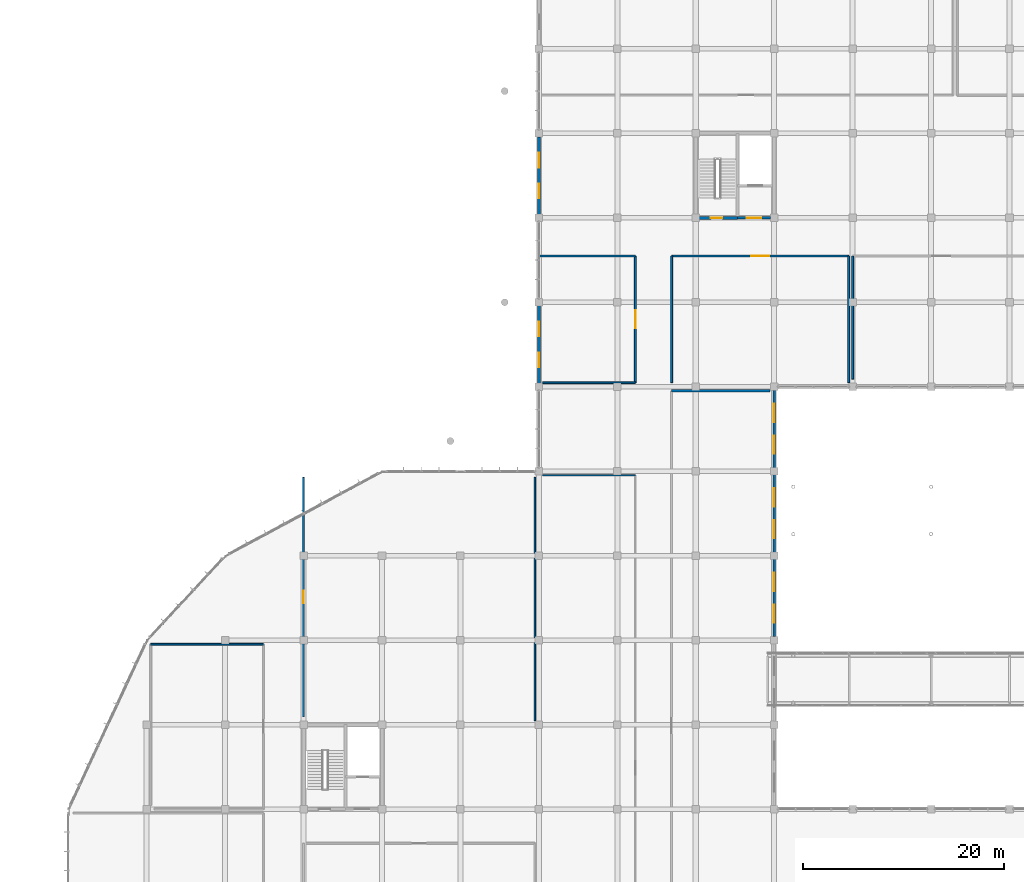
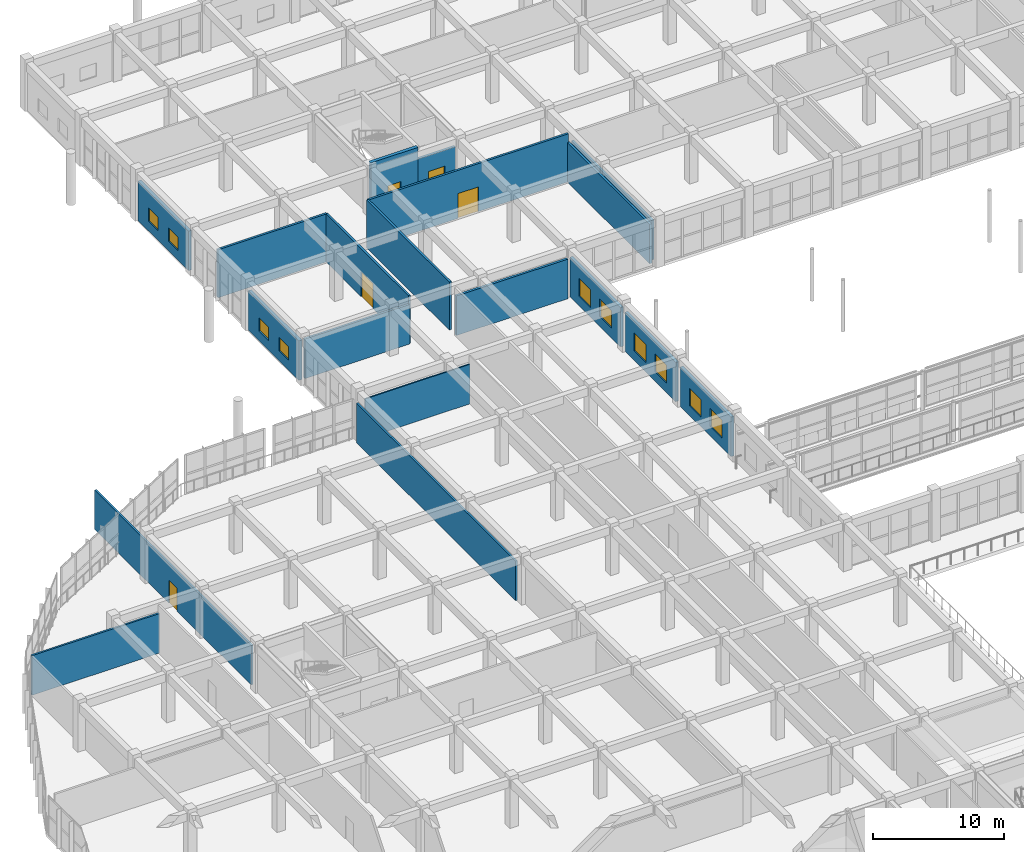
# One storey, part 162 of 175: 19 walls, 10 windows, 5 doors, 15 openings.
"""IFC4 building model written with IfcOpenShell, lengths in metres."""

import ifcopenshell
import ifcopenshell.guid

model = None  # the IFC model being written
_history = None  # IfcOwnerHistory: only IFC2X3 demands one
_inside = {}  # id of a spatial element -> (the spatial element, [elements in it])
_under = {}  # id of a project, library or spatial element -> (it, [spatial elements below it])
_declared = {}  # id of a project -> (the project, [libraries it declares])
_typed = {}  # id of a type object -> (the type object, [elements of that type])
_made_of = {}  # id of a material, layer set ... -> (it, [elements and type objects made of it])


def new_model(schema):
    """Start an empty IFC model of exactly this schema.

    Asked for "IFC4X3", IfcOpenShell would pick the latest addendum, in which some entities
    have other attributes; the version numbers below select the first issue.
    IFC2X3 requires an IfcOwnerHistory on every rooted entity: one is made here for all.
    """
    global model, _history
    if schema == "IFC4X3":
        model = ifcopenshell.file(schema_version=(4, 3, 0, 0))
    else:
        model = ifcopenshell.file(schema=schema)
    _inside.clear()
    _under.clear()
    _declared.clear()
    _typed.clear()
    _made_of.clear()
    _history = None
    if model.schema == "IFC2X3":
        org = make("IfcOrganization", Name="unknown")
        user = make(
            "IfcPersonAndOrganization",
            ThePerson=make("IfcPerson", FamilyName="unknown"),
            TheOrganization=org,
        )
        app = make(
            "IfcApplication",
            ApplicationDeveloper=org,
            Version="unknown",
            ApplicationFullName="unknown",
            ApplicationIdentifier="unknown",
        )
        _history = make(
            "IfcOwnerHistory",
            OwningUser=user,
            OwningApplication=app,
            ChangeAction="ADDED",
            CreationDate=0,
        )
    return model


def make(cls, **values):
    """One entity of the class cls with the attributes given. An attribute that is None is left unset."""
    return model.create_entity(
        cls, **{name: value for name, value in values.items() if value is not None}
    )


def rooted(cls, **values):
    """An entity with a GlobalId (a new one), such as an element, a storey or a relation."""
    return make(cls, GlobalId=ifcopenshell.guid.new(), OwnerHistory=_history, **values)


def si_unit(unit_type, name, prefix=None):
    """IfcSIUnit, for example si_unit("LENGTHUNIT", "METRE", prefix="MILLI")."""
    return make("IfcSIUnit", UnitType=unit_type, Prefix=prefix, Name=name)


def assignment(units):
    """IfcUnitAssignment: the units of a project."""
    return None if units is None else make("IfcUnitAssignment", Units=units)


def point(xyz):
    """IfcCartesianPoint."""
    return None if xyz is None else make("IfcCartesianPoint", Coordinates=xyz)


def direction(xyz):
    """IfcDirection."""
    return None if xyz is None else make("IfcDirection", DirectionRatios=xyz)


def frame(location, z_axis=None, x_axis=None):
    """IfcAxis2Placement3D, a coordinate frame: its origin and axes. An axis left out is left unset."""
    return make(
        "IfcAxis2Placement3D",
        Location=point(location),
        Axis=direction(z_axis),
        RefDirection=direction(x_axis),
    )


def frame_2d(location, x_axis=None):
    """IfcAxis2Placement2D, a coordinate frame in the plane: its origin and x axis."""
    return make(
        "IfcAxis2Placement2D", Location=point(location), RefDirection=direction(x_axis)
    )


def origin():
    """The frame at (0, 0, 0) with its axes left unset."""
    return frame((0.0, 0.0, 0.0))


def place(relative_to, where):
    """IfcLocalPlacement: puts the frame where relative to a parent placement (None: the world)."""
    return make(
        "IfcLocalPlacement", PlacementRelTo=relative_to, RelativePlacement=where
    )


def context(
    kind, dimensions, precision=None, world=None, true_north=None, identifier=None
):
    """IfcGeometricRepresentationContext, for example the 3D "Model" context."""
    return make(
        "IfcGeometricRepresentationContext",
        ContextIdentifier=identifier,
        ContextType=kind,
        CoordinateSpaceDimension=dimensions,
        Precision=precision,
        WorldCoordinateSystem=world,
        TrueNorth=true_north,
    )


def subcontext(parent, identifier, kind, view, scale=None):
    """IfcGeometricRepresentationSubContext, for example "Body" below "Model"."""
    return make(
        "IfcGeometricRepresentationSubContext",
        ContextIdentifier=identifier,
        ContextType=kind,
        ParentContext=parent,
        TargetScale=scale,
        TargetView=view,
    )


def project(units=None, contexts=None):
    """IfcProject with its units and contexts."""
    return rooted(
        "IfcProject",
        Name="project",
        RepresentationContexts=contexts,
        UnitsInContext=assignment(units),
    )


def spatial(cls, under=None, at=None, **own):
    """A site, building, storey or space (cls), placed at a placement, below another one or the project."""
    s = rooted(cls, ObjectPlacement=at, **own)
    if under is not None:
        _under.setdefault(under.id(), (under, []))[1].append(s)
    return s


def profile(cls, at=None, kind="AREA", **sizes):
    """A parametric profile (cls). Its sizes go by their IFC names, for example OverallWidth=200.0."""
    return make(cls, ProfileType=kind, Position=at, **sizes)


def rectangle(**sizes):
    """IfcRectangleProfileDef."""
    return profile("IfcRectangleProfileDef", **sizes)


def extrude(swept, where, along, depth):
    """IfcExtrudedAreaSolid: the profile swept, set in the frame where, extruded along a direction by depth."""
    return make(
        "IfcExtrudedAreaSolid",
        SweptArea=swept,
        Position=where,
        ExtrudedDirection=direction(along),
        Depth=depth,
    )


def shape(context_of_items, identifier, shape_type, items):
    """IfcShapeRepresentation: the items that make up one representation, for example the "Body"."""
    return make(
        "IfcShapeRepresentation",
        ContextOfItems=context_of_items,
        RepresentationIdentifier=identifier,
        RepresentationType=shape_type,
        Items=items,
    )


def material(Name=None, Category=None):
    """IfcMaterial."""
    return make("IfcMaterial", Name=Name, Category=Category)


def layer(
    of_material, thickness, ventilated=None, Name=None, Category=None, Priority=None
):
    """IfcMaterialLayer: one layer of a wall or slab, of a material (None: an air gap)."""
    return make(
        "IfcMaterialLayer",
        Material=of_material,
        LayerThickness=thickness,
        IsVentilated=ventilated,
        Name=Name,
        Category=Category,
        Priority=Priority,
    )


def layer_set(layers, Name=None):
    """IfcMaterialLayerSet."""
    return make("IfcMaterialLayerSet", MaterialLayers=layers, LayerSetName=Name)


def made_of(thing, what):
    """Note that an element or type object is made of a material, layer set ...; save() writes the relation."""
    if what is not None:
        _made_of.setdefault(what.id(), (what, []))[1].append(thing)
    return thing


def type_object(cls, material=None, **own):
    """A type object (cls), such as IfcWallType, which elements share."""
    return made_of(rooted(cls, **own), material)


def element(
    cls,
    number,
    at=None,
    inside=None,
    cuts=None,
    type_object=None,
    material=None,
    context=None,
    identifier="Body",
    shape_type=None,
    held_by="IfcProductDefinitionShape",
    body=None,
    shapes=None,
    **own,
):
    """One element of the class cls, such as IfcWall. Its Tag is "e" and its number.

    at: its placement. inside: the storey or other place that contains it. cuts: it is an
    opening in that element (IfcRelVoidsElement). A single representation is given by context,
    identifier, shape_type and body (its items); several are given by shapes. held_by: the class
    of the entity that holds the representations. save() writes the other relations.
    """
    e = rooted(cls, Tag="e%d" % number, ObjectPlacement=at, **own)
    if body is not None:
        shapes = [shape(context, identifier, shape_type, body)]
    if shapes is not None:
        e.Representation = make(held_by, Representations=shapes)
    if inside is not None:
        _inside.setdefault(inside.id(), (inside, []))[1].append(e)
    if cuts is not None:
        rooted(
            "IfcRelVoidsElement", RelatingBuildingElement=cuts, RelatedOpeningElement=e
        )
    if type_object is not None:
        _typed.setdefault(type_object.id(), (type_object, []))[1].append(e)
    return made_of(e, material)


def fill(opening, filler):
    """IfcRelFillsElement: the door or window that sits in an opening."""
    return rooted(
        "IfcRelFillsElement",
        RelatingOpeningElement=opening,
        RelatedBuildingElement=filler,
    )


def aggregate(whole, parts):
    """IfcRelAggregates: a whole, such as a stair, and the parts it consists of."""
    return rooted("IfcRelAggregates", RelatingObject=whole, RelatedObjects=parts)


def save(model, path):
    """Write the relations noted so far, then the file.

    IfcRelAggregates (storeys below a building ...), IfcRelContainedInSpatialStructure (elements
    in a storey), IfcRelDefinesByType, IfcRelAssociatesMaterial and IfcRelDeclares: one each for
    every whole, place, type object, material and project.
    """
    for whole, parts in _under.values():
        aggregate(whole, parts)
    for where, things in _inside.values():
        rooted(
            "IfcRelContainedInSpatialStructure",
            RelatedElements=things,
            RelatingStructure=where,
        )
    for kind, things in _typed.values():
        rooted("IfcRelDefinesByType", RelatedObjects=things, RelatingType=kind)
    for what, things in _made_of.values():
        rooted("IfcRelAssociatesMaterial", RelatedObjects=things, RelatingMaterial=what)
    for by, libraries in _declared.values():
        rooted("IfcRelDeclares", RelatingContext=by, RelatedDefinitions=libraries)
    model.write(path)


model = new_model("IFC4")

# Units and contexts
model_context = context("Model", 3, precision=1e-05, world=origin(), true_north=direction((0.0, 1.0)))
body_context = subcontext(model_context, "Body", "Model", "MODEL_VIEW")
ifc_project = project(units=[si_unit("LENGTHUNIT", "METRE"), si_unit("AREAUNIT", "SQUARE_METRE"), si_unit("VOLUMEUNIT", "CUBIC_METRE"), si_unit("PLANEANGLEUNIT", "RADIAN"), si_unit("MASSUNIT", "GRAM", prefix="KILO")], contexts=[model_context])

# Site, building, storey
site_placement = place(None, origin())
site = spatial("IfcSite", under=ifc_project, at=site_placement, CompositionType="ELEMENT")
building_placement = place(site_placement, origin())
building = spatial("IfcBuilding", under=site, at=building_placement, Name="Zizhar Promenade General Hospital", CompositionType="ELEMENT")
storey_placement = place(building_placement, frame((0.0, 0.0, 4.800048828125)))
storey = spatial("IfcBuildingStorey", under=building, at=storey_placement, Name="L01", CompositionType="ELEMENT", Elevation=4.800048828125)

# Wall, openings, windows
ifc_material_1 = material(Name="Precast concrete C40/50", Category="concrete")
ifc_layer_1 = layer(ifc_material_1, 0.260009765625)
ifc_layer_set_1 = layer_set([ifc_layer_1], Name="Precast concrete C40/50")
wall_type_1 = type_object("IfcWallType", Name="EW-PC-260", PredefinedType="STANDARD", material=ifc_layer_set_1)
wall_1_placement = place(storey_placement, frame((70.199951171875, 67.5400390625, 0.0), z_axis=(0.0, 0.0, 1.0), x_axis=(0.0, 1.0, 0.0)))
wall_1 = element("IfcWall", 1, at=wall_1_placement, inside=storey, type_object=wall_type_1, Name="Garden Court West Wall L01-8", PredefinedType="STANDARD", context=body_context, shape_type="SweptSolid", body=[
    extrude(rectangle(XDim=7.719970703125, YDim=0.260009765625, at=frame_2d((3.85986328125, 0.0))), origin(), (0.0, 0.0, 1.0), 3.6650390625),
])
opening_1_placement = place(wall_1_placement, frame((1.373291015625, 0.0, 0.89990234375)))
opening_1 = element("IfcOpeningElement", 2, at=opening_1_placement, cuts=wall_1, Name="Opening W-08", PredefinedType="OPENING", context=body_context, shape_type="SweptSolid", body=[
    extrude(rectangle(XDim=1.800048828125, YDim=1.64990234375, at=frame_2d((0.89990234375, 0.824951171875))), frame((0.0, 0.14013671875, 0.0), z_axis=(0.0, -1.0, 0.0), x_axis=(1.0, 0.0, 0.0)), (0.0, 0.0, 1.0), 0.280029296875),
])
opening_2_placement = place(wall_1_placement, frame((4.546630859375, 0.0, 0.89990234375)))
opening_2 = element("IfcOpeningElement", 3, at=opening_2_placement, cuts=wall_1, Name="Opening W-08", PredefinedType="OPENING", context=body_context, shape_type="SweptSolid", body=[
    extrude(rectangle(XDim=1.800048828125, YDim=1.64990234375, at=frame_2d((0.89990234375, 0.824951171875))), frame((0.0, 0.14013671875, 0.0), z_axis=(0.0, -1.0, 0.0), x_axis=(1.0, 0.0, 0.0)), (0.0, 0.0, 1.0), 0.280029296875),
])
ifc_material_2 = material(Name="Anodised aluminium 6063-T6 and low-E glass", Category="aluminium")
window_type_1 = type_object("IfcWindowType", Name="WIN-CLN-180x165", PartitioningType="DOUBLE_PANEL_VERTICAL", PredefinedType="WINDOW", material=ifc_material_2)
window_1_placement = place(opening_1_placement, origin())
window_1 = element("IfcWindow", 4, at=window_1_placement, inside=storey, type_object=window_type_1, Name="Garden Court West Wall L01-8 Window 1", OverallHeight=1.64990234375, OverallWidth=1.800048828125, PartitioningType="SINGLE_PANEL", PredefinedType="WINDOW", context=body_context, shape_type="SweptSolid", body=[
    extrude(rectangle(XDim=1.800048828125, YDim=1.64990234375, at=frame_2d((0.89990234375, 0.824951171875))), frame((0.0, 0.030029296875, 0.0), z_axis=(0.0, -1.0, 0.0), x_axis=(1.0, 0.0, 0.0)), (0.0, 0.0, 1.0), 0.06005859375),
])
fill(opening_1, window_1)
window_2_placement = place(opening_2_placement, origin())
window_2 = element("IfcWindow", 5, at=window_2_placement, inside=storey, type_object=window_type_1, Name="Garden Court West Wall L01-8 Window 2", OverallHeight=1.64990234375, OverallWidth=1.800048828125, PartitioningType="SINGLE_PANEL", PredefinedType="WINDOW", context=body_context, shape_type="SweptSolid", body=[
    extrude(rectangle(XDim=1.800048828125, YDim=1.64990234375, at=frame_2d((0.89990234375, 0.824951171875))), frame((0.0, 0.030029296875, 0.0), z_axis=(0.0, -1.0, 0.0), x_axis=(1.0, 0.0, 0.0)), (0.0, 0.0, 1.0), 0.06005859375),
])
fill(opening_2, window_2)

wall_2_placement = place(storey_placement, frame((70.199951171875, 75.93994140625, 0.0), z_axis=(0.0, 0.0, 1.0), x_axis=(0.0, 1.0, 0.0)))
wall_2 = element("IfcWall", 6, at=wall_2_placement, inside=storey, type_object=wall_type_1, Name="Garden Court West Wall L01-9", PredefinedType="STANDARD", context=body_context, shape_type="SweptSolid", body=[
    extrude(rectangle(XDim=7.719970703125, YDim=0.260009765625, at=frame_2d((3.85986328125, 0.0))), origin(), (0.0, 0.0, 1.0), 3.6650390625),
])
opening_3_placement = place(wall_2_placement, frame((1.373291015625, 0.0, 0.89990234375)))
opening_3 = element("IfcOpeningElement", 7, at=opening_3_placement, cuts=wall_2, Name="Opening W-08", PredefinedType="OPENING", context=body_context, shape_type="SweptSolid", body=[
    extrude(rectangle(XDim=1.800048828125, YDim=1.64990234375, at=frame_2d((0.89990234375, 0.824951171875))), frame((0.0, 0.14013671875, 0.0), z_axis=(0.0, -1.0, 0.0), x_axis=(1.0, 0.0, 0.0)), (0.0, 0.0, 1.0), 0.280029296875),
])
opening_4_placement = place(wall_2_placement, frame((4.546630859375, 0.0, 0.89990234375)))
opening_4 = element("IfcOpeningElement", 8, at=opening_4_placement, cuts=wall_2, Name="Opening W-08", PredefinedType="OPENING", context=body_context, shape_type="SweptSolid", body=[
    extrude(rectangle(XDim=1.800048828125, YDim=1.64990234375, at=frame_2d((0.89990234375, 0.824951171875))), frame((0.0, 0.14013671875, 0.0), z_axis=(0.0, -1.0, 0.0), x_axis=(1.0, 0.0, 0.0)), (0.0, 0.0, 1.0), 0.280029296875),
])
window_3_placement = place(opening_3_placement, origin())
window_3 = element("IfcWindow", 9, at=window_3_placement, inside=storey, type_object=window_type_1, Name="Garden Court West Wall L01-9 Window 1", OverallHeight=1.64990234375, OverallWidth=1.800048828125, PartitioningType="SINGLE_PANEL", PredefinedType="WINDOW", context=body_context, shape_type="SweptSolid", body=[
    extrude(rectangle(XDim=1.800048828125, YDim=1.64990234375, at=frame_2d((0.89990234375, 0.824951171875))), frame((0.0, 0.030029296875, 0.0), z_axis=(0.0, -1.0, 0.0), x_axis=(1.0, 0.0, 0.0)), (0.0, 0.0, 1.0), 0.06005859375),
])
fill(opening_3, window_3)
window_4_placement = place(opening_4_placement, origin())
window_4 = element("IfcWindow", 10, at=window_4_placement, inside=storey, type_object=window_type_1, Name="Garden Court West Wall L01-9 Window 2", OverallHeight=1.64990234375, OverallWidth=1.800048828125, PartitioningType="SINGLE_PANEL", PredefinedType="WINDOW", context=body_context, shape_type="SweptSolid", body=[
    extrude(rectangle(XDim=1.800048828125, YDim=1.64990234375, at=frame_2d((0.89990234375, 0.824951171875))), frame((0.0, 0.030029296875, 0.0), z_axis=(0.0, -1.0, 0.0), x_axis=(1.0, 0.0, 0.0)), (0.0, 0.0, 1.0), 0.06005859375),
])
fill(opening_4, window_4)

wall_3_placement = place(storey_placement, frame((70.199951171875, 84.340087890625, 0.0), z_axis=(0.0, 0.0, 1.0), x_axis=(0.0, 1.0, 0.0)))
wall_3 = element("IfcWall", 11, at=wall_3_placement, inside=storey, type_object=wall_type_1, Name="Garden Court West Wall L01-10", PredefinedType="STANDARD", context=body_context, shape_type="SweptSolid", body=[
    extrude(rectangle(XDim=7.719970703125, YDim=0.260009765625, at=frame_2d((3.85986328125, 0.0))), origin(), (0.0, 0.0, 1.0), 3.6650390625),
])
opening_5_placement = place(wall_3_placement, frame((1.373291015625, 0.0, 0.89990234375)))
opening_5 = element("IfcOpeningElement", 12, at=opening_5_placement, cuts=wall_3, Name="Opening W-08", PredefinedType="OPENING", context=body_context, shape_type="SweptSolid", body=[
    extrude(rectangle(XDim=1.800048828125, YDim=1.64990234375, at=frame_2d((0.89990234375, 0.824951171875))), frame((0.0, 0.14013671875, 0.0), z_axis=(0.0, -1.0, 0.0), x_axis=(1.0, 0.0, 0.0)), (0.0, 0.0, 1.0), 0.280029296875),
])
opening_6_placement = place(wall_3_placement, frame((4.546630859375, 0.0, 0.89990234375)))
opening_6 = element("IfcOpeningElement", 13, at=opening_6_placement, cuts=wall_3, Name="Opening W-08", PredefinedType="OPENING", context=body_context, shape_type="SweptSolid", body=[
    extrude(rectangle(XDim=1.800048828125, YDim=1.64990234375, at=frame_2d((0.89990234375, 0.824951171875))), frame((0.0, 0.14013671875, 0.0), z_axis=(0.0, -1.0, 0.0), x_axis=(1.0, 0.0, 0.0)), (0.0, 0.0, 1.0), 0.280029296875),
])
window_5_placement = place(opening_5_placement, origin())
window_5 = element("IfcWindow", 14, at=window_5_placement, inside=storey, type_object=window_type_1, Name="Garden Court West Wall L01-10 Window 1", OverallHeight=1.64990234375, OverallWidth=1.800048828125, PartitioningType="SINGLE_PANEL", PredefinedType="WINDOW", context=body_context, shape_type="SweptSolid", body=[
    extrude(rectangle(XDim=1.800048828125, YDim=1.64990234375, at=frame_2d((0.89990234375, 0.824951171875))), frame((0.0, 0.030029296875, 0.0), z_axis=(0.0, -1.0, 0.0), x_axis=(1.0, 0.0, 0.0)), (0.0, 0.0, 1.0), 0.06005859375),
])
fill(opening_5, window_5)
window_6_placement = place(opening_6_placement, origin())
window_6 = element("IfcWindow", 15, at=window_6_placement, inside=storey, type_object=window_type_1, Name="Garden Court West Wall L01-10 Window 2", OverallHeight=1.64990234375, OverallWidth=1.800048828125, PartitioningType="SINGLE_PANEL", PredefinedType="WINDOW", context=body_context, shape_type="SweptSolid", body=[
    extrude(rectangle(XDim=1.800048828125, YDim=1.64990234375, at=frame_2d((0.89990234375, 0.824951171875))), frame((0.0, 0.030029296875, 0.0), z_axis=(0.0, -1.0, 0.0), x_axis=(1.0, 0.0, 0.0)), (0.0, 0.0, 1.0), 0.06005859375),
])
fill(opening_6, window_6)

ifc_material_3 = material(Name="Precast concrete C40/50", Category="concrete")
ifc_layer_2 = layer(ifc_material_3, 0.27490234375)
ifc_layer_set_2 = layer_set([ifc_layer_2], Name="Precast concrete C40/50")
wall_type_2 = type_object("IfcWallType", Name="EW-PC-275", PredefinedType="STANDARD", material=ifc_layer_set_2)
wall_4_placement = place(storey_placement, frame((46.800048828125, 92.739990234375, 0.0), z_axis=(0.0, 0.0, 1.0), x_axis=(0.0, 1.0, 0.0)))
wall_4 = element("IfcWall", 16, at=wall_4_placement, inside=storey, type_object=wall_type_2, Name="Surgical West Wall L01-11", PredefinedType="STANDARD", context=body_context, shape_type="SweptSolid", body=[
    extrude(rectangle(XDim=7.719970703125, YDim=0.27490234375, at=frame_2d((3.85986328125, 0.0))), origin(), (0.0, 0.0, 1.0), 3.6650390625),
])
opening_7_placement = place(wall_4_placement, frame((1.606689453125, 0.0, 0.89990234375)))
opening_7 = element("IfcOpeningElement", 17, at=opening_7_placement, cuts=wall_4, Name="Opening W-26", PredefinedType="OPENING", context=body_context, shape_type="SweptSolid", body=[
    extrude(rectangle(XDim=1.449951171875, YDim=1.25, at=frame_2d((0.72509765625, 0.625))), frame((0.0, 0.1474609375, 0.0), z_axis=(0.0, -1.0, 0.0), x_axis=(1.0, 0.0, 0.0)), (0.0, 0.0, 1.0), 0.294921875),
])
opening_8_placement = place(wall_4_placement, frame((4.663330078125, 0.0, 0.89990234375)))
opening_8 = element("IfcOpeningElement", 18, at=opening_8_placement, cuts=wall_4, Name="Opening W-26", PredefinedType="OPENING", context=body_context, shape_type="SweptSolid", body=[
    extrude(rectangle(XDim=1.449951171875, YDim=1.25, at=frame_2d((0.72509765625, 0.625))), frame((0.0, 0.1474609375, 0.0), z_axis=(0.0, -1.0, 0.0), x_axis=(1.0, 0.0, 0.0)), (0.0, 0.0, 1.0), 0.294921875),
])
ifc_material_4 = material(Name="Anodised aluminium 6063-T6 and low-E glass", Category="aluminium")
window_type_2 = type_object("IfcWindowType", Name="WIN-OR-145x125", PartitioningType="SINGLE_PANEL", PredefinedType="WINDOW", material=ifc_material_4)
window_7_placement = place(opening_7_placement, origin())
window_7 = element("IfcWindow", 19, at=window_7_placement, inside=storey, type_object=window_type_2, Name="Surgical West Wall L01-11 Window 1", OverallHeight=1.25, OverallWidth=1.449951171875, PartitioningType="SINGLE_PANEL", PredefinedType="WINDOW", context=body_context, shape_type="SweptSolid", body=[
    extrude(rectangle(XDim=1.449951171875, YDim=1.25, at=frame_2d((0.72509765625, 0.625))), frame((0.0, 0.030029296875, 0.0), z_axis=(0.0, -1.0, 0.0), x_axis=(1.0, 0.0, 0.0)), (0.0, 0.0, 1.0), 0.06005859375),
])
fill(opening_7, window_7)
window_8_placement = place(opening_8_placement, origin())
window_8 = element("IfcWindow", 20, at=window_8_placement, inside=storey, type_object=window_type_2, Name="Surgical West Wall L01-11 Window 2", OverallHeight=1.25, OverallWidth=1.449951171875, PartitioningType="SINGLE_PANEL", PredefinedType="WINDOW", context=body_context, shape_type="SweptSolid", body=[
    extrude(rectangle(XDim=1.449951171875, YDim=1.25, at=frame_2d((0.72509765625, 0.625))), frame((0.0, 0.030029296875, 0.0), z_axis=(0.0, -1.0, 0.0), x_axis=(1.0, 0.0, 0.0)), (0.0, 0.0, 1.0), 0.06005859375),
])
fill(opening_8, window_8)

wall_5_placement = place(storey_placement, frame((46.800048828125, 109.5400390625, 0.0), z_axis=(0.0, 0.0, 1.0), x_axis=(0.0, 1.0, 0.0)))
wall_5 = element("IfcWall", 21, at=wall_5_placement, inside=storey, type_object=wall_type_2, Name="Surgical West Wall L01-13", PredefinedType="STANDARD", context=body_context, shape_type="SweptSolid", body=[
    extrude(rectangle(XDim=7.719970703125, YDim=0.27490234375, at=frame_2d((3.85986328125, 0.0))), origin(), (0.0, 0.0, 1.0), 3.6650390625),
])
opening_9_placement = place(wall_5_placement, frame((1.606689453125, 0.0, 0.89990234375)))
opening_9 = element("IfcOpeningElement", 22, at=opening_9_placement, cuts=wall_5, Name="Opening W-26", PredefinedType="OPENING", context=body_context, shape_type="SweptSolid", body=[
    extrude(rectangle(XDim=1.449951171875, YDim=1.25, at=frame_2d((0.72509765625, 0.625))), frame((0.0, 0.1474609375, 0.0), z_axis=(0.0, -1.0, 0.0), x_axis=(1.0, 0.0, 0.0)), (0.0, 0.0, 1.0), 0.294921875),
])
opening_10_placement = place(wall_5_placement, frame((4.663330078125, 0.0, 0.89990234375)))
opening_10 = element("IfcOpeningElement", 23, at=opening_10_placement, cuts=wall_5, Name="Opening W-26", PredefinedType="OPENING", context=body_context, shape_type="SweptSolid", body=[
    extrude(rectangle(XDim=1.449951171875, YDim=1.25, at=frame_2d((0.72509765625, 0.625))), frame((0.0, 0.1474609375, 0.0), z_axis=(0.0, -1.0, 0.0), x_axis=(1.0, 0.0, 0.0)), (0.0, 0.0, 1.0), 0.294921875),
])
window_9_placement = place(opening_9_placement, origin())
window_9 = element("IfcWindow", 24, at=window_9_placement, inside=storey, type_object=window_type_2, Name="Surgical West Wall L01-13 Window 1", OverallHeight=1.25, OverallWidth=1.449951171875, PartitioningType="SINGLE_PANEL", PredefinedType="WINDOW", context=body_context, shape_type="SweptSolid", body=[
    extrude(rectangle(XDim=1.449951171875, YDim=1.25, at=frame_2d((0.72509765625, 0.625))), frame((0.0, 0.030029296875, 0.0), z_axis=(0.0, -1.0, 0.0), x_axis=(1.0, 0.0, 0.0)), (0.0, 0.0, 1.0), 0.06005859375),
])
fill(opening_9, window_9)
window_10_placement = place(opening_10_placement, origin())
window_10 = element("IfcWindow", 25, at=window_10_placement, inside=storey, type_object=window_type_2, Name="Surgical West Wall L01-13 Window 2", OverallHeight=1.25, OverallWidth=1.449951171875, PartitioningType="SINGLE_PANEL", PredefinedType="WINDOW", context=body_context, shape_type="SweptSolid", body=[
    extrude(rectangle(XDim=1.449951171875, YDim=1.25, at=frame_2d((0.72509765625, 0.625))), frame((0.0, 0.030029296875, 0.0), z_axis=(0.0, -1.0, 0.0), x_axis=(1.0, 0.0, 0.0)), (0.0, 0.0, 1.0), 0.06005859375),
])
fill(opening_10, window_10)

# Wall
ifc_material_5 = material(Name="Fire-rated corridor gypsum partition")
ifc_layer_3 = layer(ifc_material_5, 0.1650390625)
ifc_layer_set_3 = layer_set([ifc_layer_3], Name="Fire-rated corridor gypsum partition")
wall_type_3 = type_object("IfcWallType", Name="IW-CORR-165", PredefinedType="PARTITIONING", material=ifc_layer_set_3)
wall_6_placement = place(storey_placement, frame((8.199951171875, 66.800048828125, 0.0), z_axis=(0.0, 0.0, 1.0), x_axis=(1.0, 0.0, 0.0)))
element("IfcWall", 26, at=wall_6_placement, inside=storey, type_object=wall_type_3, Name="Emergency Short-Stay Observation Ward B N Partition", PredefinedType="PARTITIONING", context=body_context, shape_type="SweptSolid", body=[
    extrude(rectangle(XDim=11.199951171875, YDim=0.1650390625, at=frame_2d((5.60009765625, 0.0))), origin(), (0.0, 0.0, 1.0), 3.679931640625),
])

# Wall, opening, door
wall_7_placement = place(storey_placement, frame((23.39990234375, 59.56005859375, 0.0), z_axis=(0.0, 0.0, 1.0), x_axis=(0.0, 1.0, 0.0)))
wall_7 = element("IfcWall", 27, at=wall_7_placement, inside=storey, type_object=wall_type_3, Name="On-Call Emergency Medical Team Rooms and En-Suite W Partition", PredefinedType="PARTITIONING", context=body_context, shape_type="SweptSolid", body=[
    extrude(rectangle(XDim=23.83984375, YDim=0.1650390625, at=frame_2d((11.919921875, 0.0))), origin(), (0.0, 0.0, 1.0), 3.6650390625),
])
opening_11_placement = place(wall_7_placement, frame((11.294921875, 0.0, 0.0)))
opening_11 = element("IfcOpeningElement", 28, at=opening_11_placement, cuts=wall_7, Name="Opening D-13", PredefinedType="OPENING", context=body_context, shape_type="SweptSolid", body=[
    extrude(rectangle(XDim=1.25, YDim=2.14990234375, at=frame_2d((0.625, 1.074951171875))), frame((0.0, 0.092529296875, 0.0), z_axis=(0.0, -1.0, 0.0), x_axis=(1.0, 0.0, 0.0)), (0.0, 0.0, 1.0), 0.18505859375),
])
ifc_material_6 = material(Name="Fire-rated timber clinical leaf", Category="wood")
door_type_1 = type_object("IfcDoorType", Name="DR-ED-EXAM-125x215", OperationType="NOTDEFINED", PredefinedType="DOOR", material=ifc_material_6)
door_1_placement = place(opening_11_placement, origin())
door_1 = element("IfcDoor", 29, at=door_1_placement, inside=storey, type_object=door_type_1, Name="On-Call Emergency Medical Team Rooms and En-Suite Door", OperationType="SINGLE_SWING_RIGHT", OverallHeight=2.14990234375, OverallWidth=1.25, PredefinedType="DOOR", context=body_context, shape_type="SweptSolid", body=[
    extrude(rectangle(XDim=1.25, YDim=2.14990234375, at=frame_2d((0.625, 1.074951171875))), frame((0.0, 0.02490234375, 0.0), z_axis=(0.0, -1.0, 0.0), x_axis=(1.0, 0.0, 0.0)), (0.0, 0.0, 1.0), 0.050048828125),
])
fill(opening_11, door_1)

# Wall
wall_8_placement = place(storey_placement, frame((46.39990234375, 59.199951171875, 0.0), z_axis=(0.0, 0.0, 1.0), x_axis=(0.0, 1.0, 0.0)))
element("IfcWall", 30, at=wall_8_placement, inside=storey, type_object=wall_type_3, Name="On-Call Emergency Medical Team Rooms and En-Suite E Partition", PredefinedType="PARTITIONING", context=body_context, shape_type="SweptSolid", body=[
    extrude(rectangle(XDim=24.199951171875, YDim=0.1650390625, at=frame_2d((12.10009765625, 0.0))), origin(), (0.0, 0.0, 1.0), 3.679931640625),
])

# Wall, opening, door
ifc_material_7 = material(Name="Concrete C35/45", Category="concrete")
ifc_layer_4 = layer(ifc_material_7, 0.215087890625)
ifc_layer_set_4 = layer_set([ifc_layer_4], Name="Concrete C35/45")
wall_type_4 = type_object("IfcWallType", Name="IW-LOBBY-215", PredefinedType="STANDARD", material=ifc_layer_set_4)
wall_9_placement = place(storey_placement, frame((66.550048828125, 109.199951171875, 0.0), z_axis=(0.0, 0.0, 1.0), x_axis=(1.0, 0.0, 0.0)))
wall_9 = element("IfcWall", 31, at=wall_9_placement, inside=storey, type_object=wall_type_4, Name="Core C6 Lift Lobby South Fire Wall (L01)", PredefinedType="STANDARD", context=body_context, shape_type="SweptSolid", body=[
    extrude(rectangle(XDim=3.2900390625, YDim=0.215087890625, at=frame_2d((1.64501953125, 0.0))), origin(), (0.0, 0.0, 1.0), 3.679931640625),
])
opening_12_placement = place(wall_9_placement, frame((0.925048828125, 0.0, 0.0)))
opening_12 = element("IfcOpeningElement", 32, at=opening_12_placement, cuts=wall_9, Name="Opening D-23", PredefinedType="OPENING", context=body_context, shape_type="SweptSolid", body=[
    extrude(rectangle(XDim=1.43994140625, YDim=2.199951171875, at=frame_2d((0.719970703125, 1.10009765625))), frame((0.0, 0.11767578125, 0.0), z_axis=(0.0, -1.0, 0.0), x_axis=(1.0, 0.0, 0.0)), (0.0, 0.0, 1.0), 0.235107421875),
])
ifc_material_8 = material(Name="Fire-rated timber lift lobby pair", Category="wood")
door_type_2 = type_object("IfcDoorType", Name="DR-LOBBY-PR-144x220", OperationType="DOUBLE_DOOR_SINGLE_SWING", PredefinedType="DOOR", material=ifc_material_8)
door_2_placement = place(opening_12_placement, origin())
door_2 = element("IfcDoor", 33, at=door_2_placement, inside=storey, type_object=door_type_2, Name="Core C6 Protected Lift Lobby Door (L01)", OperationType="DOUBLE_DOOR_SINGLE_SWING", OverallHeight=2.199951171875, OverallWidth=1.43994140625, PredefinedType="DOOR", context=body_context, shape_type="SweptSolid", body=[
    extrude(rectangle(XDim=1.43994140625, YDim=2.199951171875, at=frame_2d((0.719970703125, 1.10009765625))), frame((0.0, 0.02490234375, 0.0), z_axis=(0.0, -1.0, 0.0), x_axis=(1.0, 0.0, 0.0)), (0.0, 0.0, 1.0), 0.050048828125),
])
fill(opening_12, door_2)

# Walls
ifc_material_9 = material(Name="Hygienic cleanroom aluminium-faced gypsum partition", Category="aluminium")
ifc_layer_5 = layer(ifc_material_9, 0.18994140625)
ifc_layer_set_5 = layer_set([ifc_layer_5], Name="Hygienic cleanroom aluminium-faced gypsum partition")
wall_type_5 = type_object("IfcWallType", Name="IW-OR-190", PredefinedType="PARTITIONING", material=ifc_layer_set_5)
wall_10_placement = place(storey_placement, frame((47.159912109375, 92.800048828125, 0.0), z_axis=(0.0, 0.0, 1.0), x_axis=(1.0, 0.0, 0.0)))
element("IfcWall", 34, at=wall_10_placement, inside=storey, type_object=wall_type_5, Name="Operating Theatre 01 S Partition", PredefinedType="PARTITIONING", context=body_context, shape_type="SweptSolid", body=[
    extrude(rectangle(XDim=9.239990234375, YDim=0.18994140625, at=frame_2d((4.6201171875, 0.0))), origin(), (0.0, 0.0, 1.0), 3.679931640625),
])
wall_11_placement = place(storey_placement, frame((46.800048828125, 105.39990234375, 0.0), z_axis=(0.0, 0.0, 1.0), x_axis=(1.0, 0.0, 0.0)))
element("IfcWall", 35, at=wall_11_placement, inside=storey, type_object=wall_type_5, Name="Operating Theatre 01 N Partition", PredefinedType="PARTITIONING", context=body_context, shape_type="SweptSolid", body=[
    extrude(rectangle(XDim=9.599853515625, YDim=0.18994140625, at=frame_2d((4.7998046875, 0.0))), origin(), (0.0, 0.0, 1.0), 4.4599609375),
])

# Wall, opening, door
wall_12_placement = place(storey_placement, frame((56.39990234375, 92.800048828125, 0.0), z_axis=(0.0, 0.0, 1.0), x_axis=(0.0, 1.0, 0.0)))
wall_12 = element("IfcWall", 36, at=wall_12_placement, inside=storey, type_object=wall_type_5, Name="Operating Theatre 01 E Partition", PredefinedType="PARTITIONING", context=body_context, shape_type="SweptSolid", body=[
    extrude(rectangle(XDim=12.599853515625, YDim=0.18994140625, at=frame_2d((6.2998046875, 0.0))), origin(), (0.0, 0.0, 1.0), 4.4599609375),
])
opening_13_placement = place(wall_12_placement, frame((5.39990234375, 0.0, 0.0)))
opening_13 = element("IfcOpeningElement", 37, at=opening_13_placement, cuts=wall_12, Name="Opening D-03", PredefinedType="OPENING", context=body_context, shape_type="SweptSolid", body=[
    extrude(rectangle(XDim=1.800048828125, YDim=2.300048828125, at=frame_2d((0.89990234375, 1.14990234375))), frame((0.0, 0.10498046875, 0.0), z_axis=(0.0, -1.0, 0.0), x_axis=(1.0, 0.0, 0.0)), (0.0, 0.0, 1.0), 0.2099609375),
])
ifc_material_10 = material(Name="Anodised aluminium cleanroom hermetic leaf", Category="aluminium")
door_type_3 = type_object("IfcDoorType", Name="DR-OR-SLIDE-180x230", OperationType="SLIDING_TO_LEFT", PredefinedType="DOOR", material=ifc_material_10)
door_3_placement = place(opening_13_placement, origin())
door_3 = element("IfcDoor", 38, at=door_3_placement, inside=storey, type_object=door_type_3, Name="Operating Theatre 01 Door", OperationType="SLIDING_TO_LEFT", OverallHeight=2.300048828125, OverallWidth=1.800048828125, PredefinedType="DOOR", context=body_context, shape_type="SweptSolid", body=[
    extrude(rectangle(XDim=1.800048828125, YDim=2.300048828125, at=frame_2d((0.89990234375, 1.14990234375))), frame((0.0, 0.02490234375, 0.0), z_axis=(0.0, -1.0, 0.0), x_axis=(1.0, 0.0, 0.0)), (0.0, 0.0, 1.0), 0.050048828125),
])
fill(opening_13, door_3)

wall_13_placement = place(storey_placement, frame((60.0, 105.39990234375, 0.0), z_axis=(0.0, 0.0, 1.0), x_axis=(1.0, 0.0, 0.0)))
wall_13 = element("IfcWall", 39, at=wall_13_placement, inside=storey, type_object=wall_type_5, Name="Operating Theatre 02 N Partition", PredefinedType="PARTITIONING", context=body_context, shape_type="SweptSolid", body=[
    extrude(rectangle(XDim=17.60009765625, YDim=0.18994140625, at=frame_2d((8.800048828125, 0.0))), origin(), (0.0, 0.0, 1.0), 4.4599609375),
])
opening_14_placement = place(wall_13_placement, frame((7.89990234375, 0.0, 0.0)))
opening_14 = element("IfcOpeningElement", 40, at=opening_14_placement, cuts=wall_13, Name="Opening D-03", PredefinedType="OPENING", context=body_context, shape_type="SweptSolid", body=[
    extrude(rectangle(XDim=1.800048828125, YDim=2.300048828125, at=frame_2d((0.89990234375, 1.14990234375))), frame((0.0, 0.10498046875, 0.0), z_axis=(0.0, -1.0, 0.0), x_axis=(1.0, 0.0, 0.0)), (0.0, 0.0, 1.0), 0.2099609375),
])
door_4_placement = place(opening_14_placement, origin())
door_4 = element("IfcDoor", 41, at=door_4_placement, inside=storey, type_object=door_type_3, Name="Operating Theatre 02 Door", OperationType="SLIDING_TO_LEFT", OverallHeight=2.300048828125, OverallWidth=1.800048828125, PredefinedType="DOOR", context=body_context, shape_type="SweptSolid", body=[
    extrude(rectangle(XDim=1.800048828125, YDim=2.300048828125, at=frame_2d((0.89990234375, 1.14990234375))), frame((0.0, 0.02490234375, 0.0), z_axis=(0.0, -1.0, 0.0), x_axis=(1.0, 0.0, 0.0)), (0.0, 0.0, 1.0), 0.050048828125),
])
fill(opening_14, door_4)

# Walls
wall_14_placement = place(storey_placement, frame((60.0, 92.800048828125, 0.0), z_axis=(0.0, 0.0, 1.0), x_axis=(0.0, 1.0, 0.0)))
element("IfcWall", 42, at=wall_14_placement, inside=storey, type_object=wall_type_5, Name="Operating Theatre 02 W Partition", PredefinedType="PARTITIONING", context=body_context, shape_type="SweptSolid", body=[
    extrude(rectangle(XDim=12.599853515625, YDim=0.18994140625, at=frame_2d((6.2998046875, 0.0))), origin(), (0.0, 0.0, 1.0), 4.4599609375),
])
wall_15_placement = place(storey_placement, frame((77.60009765625, 92.800048828125, 0.0), z_axis=(0.0, 0.0, 1.0), x_axis=(0.0, 1.0, 0.0)))
element("IfcWall", 43, at=wall_15_placement, inside=storey, type_object=wall_type_5, Name="Operating Theatre 02 E Partition", PredefinedType="PARTITIONING", context=body_context, shape_type="SweptSolid", body=[
    extrude(rectangle(XDim=12.599853515625, YDim=0.18994140625, at=frame_2d((6.2998046875, 0.0))), origin(), (0.0, 0.0, 1.0), 3.6650390625),
])
wall_16_placement = place(storey_placement, frame((78.0, 93.159912109375, 0.0), z_axis=(0.0, 0.0, 1.0), x_axis=(0.0, 1.0, 0.0)))
element("IfcWall", 44, at=wall_16_placement, inside=storey, type_object=wall_type_5, Name="Operating Theatre 03 W Partition", PredefinedType="PARTITIONING", context=body_context, shape_type="SweptSolid", body=[
    extrude(rectangle(XDim=12.239990234375, YDim=0.18994140625, at=frame_2d((6.1201171875, 0.0))), origin(), (0.0, 0.0, 1.0), 3.6650390625),
])
ifc_material_11 = material(Name="Clean utility gypsum partition")
ifc_layer_6 = layer(ifc_material_11, 0.114990234375)
ifc_layer_set_6 = layer_set([ifc_layer_6], Name="Clean utility gypsum partition")
wall_type_6 = type_object("IfcWallType", Name="IW-STR-115", PredefinedType="PARTITIONING", material=ifc_layer_set_6)
wall_17_placement = place(storey_placement, frame((47.159912109375, 83.60009765625, 0.0), z_axis=(0.0, 0.0, 1.0), x_axis=(1.0, 0.0, 0.0)))
element("IfcWall", 45, at=wall_17_placement, inside=storey, type_object=wall_type_6, Name="Interventional Cardiology Catheterisation Suite N Partition", PredefinedType="PARTITIONING", context=body_context, shape_type="SweptSolid", body=[
    extrude(rectangle(XDim=9.239990234375, YDim=0.114990234375, at=frame_2d((4.6201171875, 0.0))), origin(), (0.0, 0.0, 1.0), 3.679931640625),
])
ifc_material_12 = material(Name="Lead-lined gypsum acoustic partition")
ifc_layer_7 = layer(ifc_material_12, 0.205078125)
ifc_layer_set_7 = layer_set([ifc_layer_7], Name="Lead-lined gypsum acoustic partition")
wall_type_7 = type_object("IfcWallType", Name="IW-XRAY-205", PredefinedType="PARTITIONING", material=ifc_layer_set_7)
wall_18_placement = place(storey_placement, frame((60.0, 92.0, 0.0), z_axis=(0.0, 0.0, 1.0), x_axis=(1.0, 0.0, 0.0)))
element("IfcWall", 46, at=wall_18_placement, inside=storey, type_object=wall_type_7, Name="Diagnostic Mammography and Bone Densitometry Imaging N Partition", PredefinedType="PARTITIONING", context=body_context, shape_type="SweptSolid", body=[
    extrude(rectangle(XDim=9.800048828125, YDim=0.205078125, at=frame_2d((4.89990234375, 0.0))), origin(), (0.0, 0.0, 1.0), 3.679931640625),
])

# Wall, opening, door
ifc_material_13 = material(Name="Concrete C40/50", Category="concrete")
ifc_layer_8 = layer(ifc_material_13, 0.300048828125)
ifc_layer_set_8 = layer_set([ifc_layer_8], Name="Concrete C40/50")
wall_type_8 = type_object("IfcWallType", Name="WL-CORE-300", PredefinedType="SHEAR", material=ifc_layer_set_8)
wall_19_placement = place(storey_placement, frame((62.39990234375, 109.199951171875, 0.0), z_axis=(0.0, 0.0, 1.0), x_axis=(1.0, 0.0, 0.0)))
wall_19 = element("IfcWall", 47, at=wall_19_placement, inside=storey, type_object=wall_type_8, Name="Core C6 Stair South Fire Wall (L01)", PredefinedType="SHEAR", context=body_context, shape_type="SweptSolid", body=[
    extrude(rectangle(XDim=4.150146484375, YDim=0.300048828125, at=frame_2d((2.0751953125, 0.0))), origin(), (0.0, 0.0, 1.0), 4.800048828125),
])
opening_15_placement = place(wall_19_placement, frame((1.514892578125, 0.0, 0.0)))
opening_15 = element("IfcOpeningElement", 48, at=opening_15_placement, cuts=wall_19, Name="Opening D-21", PredefinedType="OPENING", context=body_context, shape_type="SweptSolid", body=[
    extrude(rectangle(XDim=1.1201171875, YDim=2.14990234375, at=frame_2d((0.56005859375, 1.074951171875))), frame((0.0, 0.16015625, 0.0), z_axis=(0.0, -1.0, 0.0), x_axis=(1.0, 0.0, 0.0)), (0.0, 0.0, 1.0), 0.320068359375),
])
ifc_material_14 = material(Name="Steel S355 protected stair door", Category="steel")
door_type_4 = type_object("IfcDoorType", Name="DR-STAIR-112x215", OperationType="NOTDEFINED", PredefinedType="DOOR", material=ifc_material_14)
door_5_placement = place(opening_15_placement, origin())
door_5 = element("IfcDoor", 49, at=door_5_placement, inside=storey, type_object=door_type_4, Name="Exit Stair ST-06 Door (L01)", OperationType="SINGLE_SWING_LEFT", OverallHeight=2.14990234375, OverallWidth=1.1201171875, PredefinedType="DOOR", context=body_context, shape_type="SweptSolid", body=[
    extrude(rectangle(XDim=1.1201171875, YDim=2.14990234375, at=frame_2d((0.56005859375, 1.074951171875))), frame((0.0, 0.02490234375, 0.0), z_axis=(0.0, -1.0, 0.0), x_axis=(1.0, 0.0, 0.0)), (0.0, 0.0, 1.0), 0.050048828125),
])
fill(opening_15, door_5)

save(model, "model.ifc")
